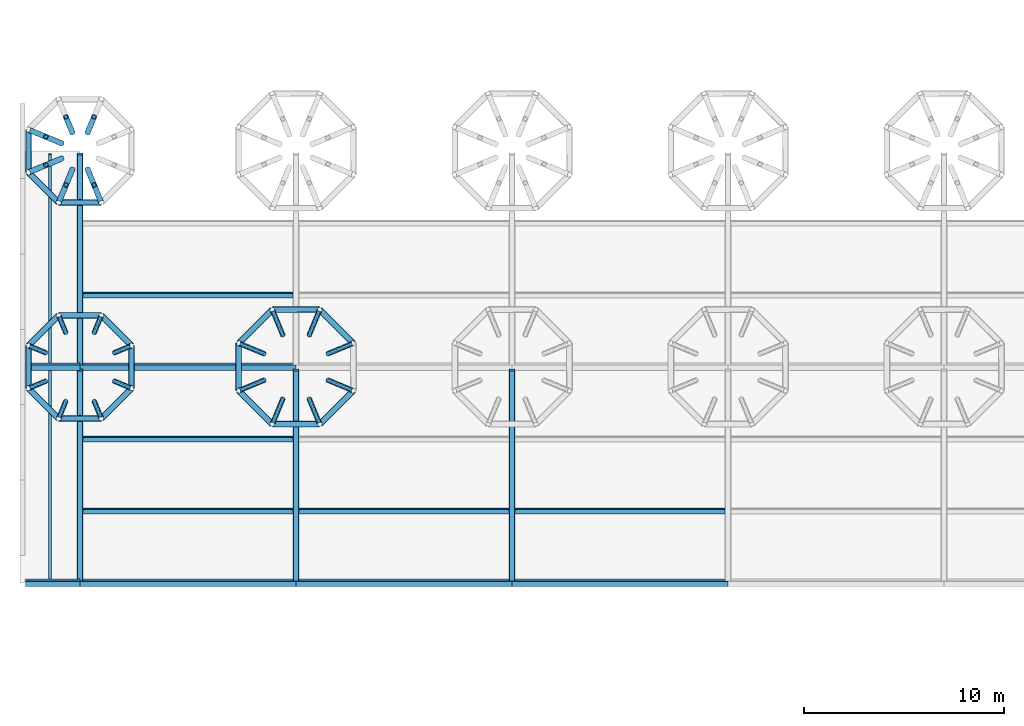
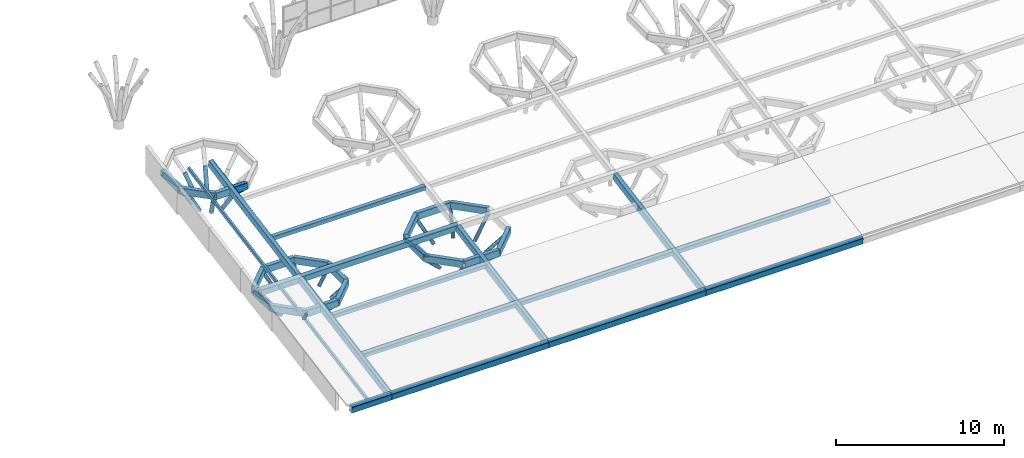
# One storey, part 2 of 42: 35 beams, 26 members.
"""IFC4 building model written with IfcOpenShell, lengths in metres."""

from ifc_helpers import new_model, si_unit, direction, frame, origin, origin_2d, place, context, subcontext, project, spatial, hollow_rectangle, hollow_circle, extrude, clip, halfspace, material, material_profile, profile_set, type_object, element, save


model = new_model("IFC4")

# Units and contexts
model_context = context("Model", 3, precision=1e-05, world=origin(), true_north=direction((0.0, 1.0)))
body_context = subcontext(model_context, "Body", "Model", "MODEL_VIEW")
ifc_project = project(units=[si_unit("LENGTHUNIT", "METRE"), si_unit("AREAUNIT", "SQUARE_METRE"), si_unit("VOLUMEUNIT", "CUBIC_METRE"), si_unit("PLANEANGLEUNIT", "RADIAN"), si_unit("MASSUNIT", "GRAM", prefix="KILO")], contexts=[model_context])

# Site, building, storey
site_placement = place(None, origin())
site = spatial("IfcSite", under=ifc_project, at=site_placement, CompositionType="ELEMENT")
building_placement = place(site_placement, origin())
building = spatial("IfcBuilding", under=site, at=building_placement, Name="Magnolia Steps Interchange", CompositionType="ELEMENT")
storey_placement = place(building_placement, frame((0.0, 0.0, 12.60009765625)))
storey = spatial("IfcBuildingStorey", under=building, at=storey_placement, Name="L03", CompositionType="ELEMENT", Elevation=12.60009765625)

# Beams
ifc_material_1 = material(Name="Steel Q355B", Category="steel")
ifc_material_profile_1 = material_profile(ifc_material_1, hollow_rectangle(XDim=0.300048828125, YDim=0.5, WallThickness=0.01611328125, InnerFilletRadius=0.01611328125, OuterFilletRadius=0.031982421875, at=origin_2d()), Name="RHS500x300x16")
ifc_profile_set_1 = profile_set([ifc_material_profile_1], Name="Steel Q355B")
beam_type_1 = type_object("IfcBeamType", Name="Ring beam RHS500x300x16", PredefinedType="BEAM", material=ifc_profile_set_1)
beam_1_placement = place(storey_placement, frame((55.780029296875, 65.068603515625, 1.5), z_axis=(-0.707049666629, 0.707163891131, 0.0), x_axis=(-0.707163891131, -0.707049666629, 0.0)))
element("IfcBeam", 1, at=beam_1_placement, inside=storey, type_object=beam_type_1, Name="Ring beam TH01C", PredefinedType="BEAM", context=body_context, shape_type="Clipping", body=[
    clip(clip(extrude(hollow_rectangle(XDim=0.300048828125, YDim=0.5, WallThickness=0.01611328125, InnerFilletRadius=0.01611328125, OuterFilletRadius=0.031982421875, at=origin_2d()), origin(), (0.0, 0.0, 1.0), 2.137451171875), halfspace(frame((0.0, 0.0, 0.0), z_axis=(0.382608811, 0.0, -0.923910438), x_axis=(0.923910438, 0.0, 0.382608811)), False)), halfspace(frame((0.0, 0.0, 2.137375265), z_axis=(0.382758052, 0.0, 0.92384862), x_axis=(0.923848621, 0.0, -0.382758052)), False)),
])
beam_2_placement = place(storey_placement, frame((54.268798828125, 66.580078125, 1.5), z_axis=(-1.0, 0.0, 0.0), x_axis=(0.0, -1.0, 0.0)))
element("IfcBeam", 2, at=beam_2_placement, inside=storey, type_object=beam_type_1, Name="Ring beam TH01C", PredefinedType="BEAM", context=body_context, shape_type="Clipping", body=[
    clip(clip(extrude(hollow_rectangle(XDim=0.300048828125, YDim=0.5, WallThickness=0.01611328125, InnerFilletRadius=0.01611328125, OuterFilletRadius=0.031982421875, at=origin_2d()), origin(), (0.0, 0.0, 1.0), 2.137451171875), halfspace(frame((0.0, 0.0, 0.0), z_axis=(0.382683432, 0.0, -0.923879533), x_axis=(0.923879533, 0.0, 0.382683432)), False)), halfspace(frame((0.0, 0.0, 2.137451172), z_axis=(0.382683432, 0.0, 0.923879533), x_axis=(0.923879533, 0.0, -0.382683432)), False)),
])
beam_3_placement = place(storey_placement, frame((52.13134765625, 66.580078125, 1.5), z_axis=(-0.707049666629, -0.707163891131, 0.0), x_axis=(0.707163891131, -0.707049666629, 0.0)))
element("IfcBeam", 3, at=beam_3_placement, inside=storey, type_object=beam_type_1, Name="Ring beam TH01C", PredefinedType="BEAM", context=body_context, shape_type="Clipping", body=[
    clip(clip(extrude(hollow_rectangle(XDim=0.300048828125, YDim=0.5, WallThickness=0.01611328125, InnerFilletRadius=0.01611328125, OuterFilletRadius=0.031982421875, at=origin_2d()), origin(), (0.0, 0.0, 1.0), 2.137451171875), halfspace(frame((0.0, 0.0, 0.0), z_axis=(0.382758052, 0.0, -0.92384862), x_axis=(0.923848621, 0.0, 0.382758052)), False)), halfspace(frame((0.0, 0.0, 2.137375265), z_axis=(0.382608811, 0.0, 0.923910438), x_axis=(0.923910438, 0.0, -0.382608811)), False)),
])
beam_4_placement = place(storey_placement, frame((50.6201171875, 65.068603515625, 1.5), z_axis=(0.0, -1.0, 0.0), x_axis=(1.0, 0.0, 0.0)))
element("IfcBeam", 4, at=beam_4_placement, inside=storey, type_object=beam_type_1, Name="Ring beam TH01C", PredefinedType="BEAM", context=body_context, shape_type="Clipping", body=[
    clip(clip(extrude(hollow_rectangle(XDim=0.300048828125, YDim=0.5, WallThickness=0.01611328125, InnerFilletRadius=0.01611328125, OuterFilletRadius=0.031982421875, at=origin_2d()), origin(), (0.0, 0.0, 1.0), 2.13720703125), halfspace(frame((0.0, 0.0, 0.0), z_axis=(0.382683432, 0.0, -0.923879533), x_axis=(0.923879533, 0.0, 0.382683432)), False)), halfspace(frame((0.0, 0.0, 2.137207031), z_axis=(0.382683432, 0.0, 0.923879533), x_axis=(0.923879533, 0.0, -0.382683432)), False)),
])
beam_5_placement = place(storey_placement, frame((50.6201171875, 62.931396484375, 1.5), z_axis=(0.707049666629, -0.707163891131, 0.0), x_axis=(0.707163891131, 0.707049666629, 0.0)))
element("IfcBeam", 5, at=beam_5_placement, inside=storey, type_object=beam_type_1, Name="Ring beam TH01C", PredefinedType="BEAM", context=body_context, shape_type="Clipping", body=[
    clip(clip(extrude(hollow_rectangle(XDim=0.300048828125, YDim=0.5, WallThickness=0.01611328125, InnerFilletRadius=0.01611328125, OuterFilletRadius=0.031982421875, at=origin_2d()), origin(), (0.0, 0.0, 1.0), 2.137451171875), halfspace(frame((0.0, 0.0, 0.0), z_axis=(0.382608811, 0.0, -0.923910438), x_axis=(0.923910438, 0.0, 0.382608811)), False)), halfspace(frame((0.0, 0.0, 2.137375265), z_axis=(0.382758052, 0.0, 0.92384862), x_axis=(0.923848621, 0.0, -0.382758052)), False)),
])
beam_6_placement = place(storey_placement, frame((52.13134765625, 61.419921875, 1.5), z_axis=(1.0, 0.0, 0.0), x_axis=(0.0, 1.0, 0.0)))
element("IfcBeam", 6, at=beam_6_placement, inside=storey, type_object=beam_type_1, Name="Ring beam TH01C", PredefinedType="BEAM", context=body_context, shape_type="Clipping", body=[
    clip(clip(extrude(hollow_rectangle(XDim=0.300048828125, YDim=0.5, WallThickness=0.01611328125, InnerFilletRadius=0.01611328125, OuterFilletRadius=0.031982421875, at=origin_2d()), origin(), (0.0, 0.0, 1.0), 2.137451171875), halfspace(frame((0.0, 0.0, 0.0), z_axis=(0.382683432, 0.0, -0.923879533), x_axis=(0.923879533, 0.0, 0.382683432)), False)), halfspace(frame((0.0, 0.0, 2.137451172), z_axis=(0.382683432, 0.0, 0.923879533), x_axis=(0.923879533, 0.0, -0.382683432)), False)),
])
beam_7_placement = place(storey_placement, frame((54.268798828125, 61.419921875, 1.5), z_axis=(0.707049666629, 0.707163891131, 0.0), x_axis=(-0.707163891131, 0.707049666629, 0.0)))
element("IfcBeam", 7, at=beam_7_placement, inside=storey, type_object=beam_type_1, Name="Ring beam TH01C", PredefinedType="BEAM", context=body_context, shape_type="Clipping", body=[
    clip(clip(extrude(hollow_rectangle(XDim=0.300048828125, YDim=0.5, WallThickness=0.01611328125, InnerFilletRadius=0.01611328125, OuterFilletRadius=0.031982421875, at=origin_2d()), origin(), (0.0, 0.0, 1.0), 2.137451171875), halfspace(frame((0.0, 0.0, 0.0), z_axis=(0.382758052, 0.0, -0.92384862), x_axis=(0.923848621, 0.0, 0.382758052)), False)), halfspace(frame((0.0, 0.0, 2.137375265), z_axis=(0.382608811, 0.0, 0.923910438), x_axis=(0.923910438, 0.0, -0.382608811)), False)),
])
beam_8_placement = place(storey_placement, frame((55.780029296875, 62.931396484375, 1.5), z_axis=(0.0, 1.0, 0.0), x_axis=(-1.0, 0.0, 0.0)))
element("IfcBeam", 8, at=beam_8_placement, inside=storey, type_object=beam_type_1, Name="Ring beam TH01C", PredefinedType="BEAM", context=body_context, shape_type="Clipping", body=[
    clip(clip(extrude(hollow_rectangle(XDim=0.300048828125, YDim=0.5, WallThickness=0.01611328125, InnerFilletRadius=0.01611328125, OuterFilletRadius=0.031982421875, at=origin_2d()), origin(), (0.0, 0.0, 1.0), 2.13720703125), halfspace(frame((0.0, 0.0, 0.0), z_axis=(0.382683432, 0.0, -0.923879533), x_axis=(0.923879533, 0.0, 0.382683432)), False)), halfspace(frame((0.0, 0.0, 2.137207031), z_axis=(0.382683432, 0.0, 0.923879533), x_axis=(0.923879533, 0.0, -0.382683432)), False)),
])
beam_9_placement = place(storey_placement, frame((50.6201171875, 75.86865234375, 3.4755859375), z_axis=(0.0, -1.0, 0.0), x_axis=(1.0, 0.0, 0.0)))
element("IfcBeam", 9, at=beam_9_placement, inside=storey, type_object=beam_type_1, Name="Ring beam TH01D", PredefinedType="BEAM", context=body_context, shape_type="Clipping", body=[
    clip(clip(extrude(hollow_rectangle(XDim=0.300048828125, YDim=0.5, WallThickness=0.01611328125, InnerFilletRadius=0.01611328125, OuterFilletRadius=0.031982421875, at=origin_2d()), origin(), (0.0, 0.0, 1.0), 2.137451171875), halfspace(frame((0.0, 0.0, 0.0), z_axis=(0.382683432, 0.0, -0.923879533), x_axis=(0.923879533, 0.0, 0.382683432)), False)), halfspace(frame((0.0, 0.0, 2.137451172), z_axis=(0.382683432, 0.0, 0.923879533), x_axis=(0.923879533, 0.0, -0.382683432)), False)),
])
beam_10_placement = place(storey_placement, frame((50.6201171875, 73.731201171875, 3.4755859375), z_axis=(0.707106781187, -0.707106781187, 0.0), x_axis=(0.707106781187, 0.707106781187, 0.0)))
element("IfcBeam", 10, at=beam_10_placement, inside=storey, type_object=beam_type_1, Name="Ring beam TH01D", PredefinedType="BEAM", context=body_context, shape_type="Clipping", body=[
    clip(clip(extrude(hollow_rectangle(XDim=0.300048828125, YDim=0.5, WallThickness=0.01611328125, InnerFilletRadius=0.01611328125, OuterFilletRadius=0.031982421875, at=origin_2d()), origin(), (0.0, 0.0, 1.0), 2.13720703125), halfspace(frame((0.0, 0.0, 0.0), z_axis=(0.382683433, 0.0, -0.923879532), x_axis=(0.923879532, 0.0, 0.382683433)), False)), halfspace(frame((0.0, 0.0, 2.137202625), z_axis=(0.382683433, 0.0, 0.923879532), x_axis=(0.923879532, 0.0, -0.382683433)), False)),
])
beam_11_placement = place(storey_placement, frame((52.13134765625, 72.219970703125, 3.4755859375), z_axis=(1.0, 0.0, 0.0), x_axis=(0.0, 1.0, 0.0)))
element("IfcBeam", 11, at=beam_11_placement, inside=storey, type_object=beam_type_1, Name="Ring beam TH01D", PredefinedType="BEAM", context=body_context, shape_type="Clipping", body=[
    clip(clip(extrude(hollow_rectangle(XDim=0.300048828125, YDim=0.5, WallThickness=0.01611328125, InnerFilletRadius=0.01611328125, OuterFilletRadius=0.031982421875, at=origin_2d()), origin(), (0.0, 0.0, 1.0), 2.137451171875), halfspace(frame((0.0, 0.0, 0.0), z_axis=(0.382683432, 0.0, -0.923879533), x_axis=(0.923879533, 0.0, 0.382683432)), False)), halfspace(frame((0.0, 0.0, 2.137451172), z_axis=(0.382683432, 0.0, 0.923879533), x_axis=(0.923879533, 0.0, -0.382683432)), False)),
])
beam_12_placement = place(storey_placement, frame((66.864013671875, 65.186279296875, 1.5), z_axis=(-0.707106781187, 0.707106781187, 0.0), x_axis=(-0.707106781187, -0.707106781187, 0.0)))
element("IfcBeam", 12, at=beam_12_placement, inside=storey, type_object=beam_type_1, Name="Ring beam TH02C", PredefinedType="BEAM", context=body_context, shape_type="Clipping", body=[
    clip(clip(extrude(hollow_rectangle(XDim=0.300048828125, YDim=0.5, WallThickness=0.01611328125, InnerFilletRadius=0.01611328125, OuterFilletRadius=0.031982421875, at=origin_2d()), origin(), (0.0, 0.0, 1.0), 2.37255859375), halfspace(frame((0.0, 0.0, 0.0), z_axis=(0.382683433, 0.0, -0.923879532), x_axis=(0.923879532, 0.0, 0.382683433)), False)), halfspace(frame((0.0, 0.0, 2.372674707), z_axis=(0.382683433, 0.0, 0.923879532), x_axis=(0.923879532, 0.0, -0.382683433)), False)),
])
beam_13_placement = place(storey_placement, frame((65.186279296875, 66.864013671875, 1.5), z_axis=(-1.0, 0.0, 0.0), x_axis=(0.0, -1.0, 0.0)))
element("IfcBeam", 13, at=beam_13_placement, inside=storey, type_object=beam_type_1, Name="Ring beam TH02C", PredefinedType="BEAM", context=body_context, shape_type="Clipping", body=[
    clip(clip(extrude(hollow_rectangle(XDim=0.300048828125, YDim=0.5, WallThickness=0.01611328125, InnerFilletRadius=0.01611328125, OuterFilletRadius=0.031982421875, at=origin_2d()), origin(), (0.0, 0.0, 1.0), 2.37255859375), halfspace(frame((0.0, 0.0, 0.0), z_axis=(0.382683432, 0.0, -0.923879533), x_axis=(0.923879533, 0.0, 0.382683432)), False)), halfspace(frame((0.0, 0.0, 2.372558594), z_axis=(0.382683432, 0.0, 0.923879533), x_axis=(0.923879533, 0.0, -0.382683432)), False)),
])
beam_14_placement = place(storey_placement, frame((62.813720703125, 66.864013671875, 1.5), z_axis=(-0.707106781187, -0.707106781187, 0.0), x_axis=(0.707106781187, -0.707106781187, 0.0)))
element("IfcBeam", 14, at=beam_14_placement, inside=storey, type_object=beam_type_1, Name="Ring beam TH02C", PredefinedType="BEAM", context=body_context, shape_type="Clipping", body=[
    clip(clip(extrude(hollow_rectangle(XDim=0.300048828125, YDim=0.5, WallThickness=0.01611328125, InnerFilletRadius=0.01611328125, OuterFilletRadius=0.031982421875, at=origin_2d()), origin(), (0.0, 0.0, 1.0), 2.37255859375), halfspace(frame((0.0, 0.0, 0.0), z_axis=(0.382683433, 0.0, -0.923879532), x_axis=(0.923879532, 0.0, 0.382683433)), False)), halfspace(frame((0.0, 0.0, 2.372674707), z_axis=(0.382683433, 0.0, 0.923879532), x_axis=(0.923879532, 0.0, -0.382683433)), False)),
])
beam_15_placement = place(storey_placement, frame((61.135986328125, 65.186279296875, 1.5), z_axis=(0.0, -1.0, 0.0), x_axis=(1.0, 0.0, 0.0)))
element("IfcBeam", 15, at=beam_15_placement, inside=storey, type_object=beam_type_1, Name="Ring beam TH02C", PredefinedType="BEAM", context=body_context, shape_type="Clipping", body=[
    clip(clip(extrude(hollow_rectangle(XDim=0.300048828125, YDim=0.5, WallThickness=0.01611328125, InnerFilletRadius=0.01611328125, OuterFilletRadius=0.031982421875, at=origin_2d()), origin(), (0.0, 0.0, 1.0), 2.37255859375), halfspace(frame((0.0, 0.0, 0.0), z_axis=(0.382683432, 0.0, -0.923879533), x_axis=(0.923879533, 0.0, 0.382683432)), False)), halfspace(frame((0.0, 0.0, 2.372558594), z_axis=(0.382683432, 0.0, 0.923879533), x_axis=(0.923879533, 0.0, -0.382683432)), False)),
])
beam_16_placement = place(storey_placement, frame((61.135986328125, 62.813720703125, 1.5), z_axis=(0.707106781187, -0.707106781187, 0.0), x_axis=(0.707106781187, 0.707106781187, 0.0)))
element("IfcBeam", 16, at=beam_16_placement, inside=storey, type_object=beam_type_1, Name="Ring beam TH02C", PredefinedType="BEAM", context=body_context, shape_type="Clipping", body=[
    clip(clip(extrude(hollow_rectangle(XDim=0.300048828125, YDim=0.5, WallThickness=0.01611328125, InnerFilletRadius=0.01611328125, OuterFilletRadius=0.031982421875, at=origin_2d()), origin(), (0.0, 0.0, 1.0), 2.37255859375), halfspace(frame((0.0, 0.0, 0.0), z_axis=(0.382683433, 0.0, -0.923879532), x_axis=(0.923879532, 0.0, 0.382683433)), False)), halfspace(frame((0.0, 0.0, 2.372674707), z_axis=(0.382683433, 0.0, 0.923879532), x_axis=(0.923879532, 0.0, -0.382683433)), False)),
])
beam_17_placement = place(storey_placement, frame((62.813720703125, 61.135986328125, 1.5), z_axis=(1.0, 0.0, 0.0), x_axis=(0.0, 1.0, 0.0)))
element("IfcBeam", 17, at=beam_17_placement, inside=storey, type_object=beam_type_1, Name="Ring beam TH02C", PredefinedType="BEAM", context=body_context, shape_type="Clipping", body=[
    clip(clip(extrude(hollow_rectangle(XDim=0.300048828125, YDim=0.5, WallThickness=0.01611328125, InnerFilletRadius=0.01611328125, OuterFilletRadius=0.031982421875, at=origin_2d()), origin(), (0.0, 0.0, 1.0), 2.37255859375), halfspace(frame((0.0, 0.0, 0.0), z_axis=(0.382683432, 0.0, -0.923879533), x_axis=(0.923879533, 0.0, 0.382683432)), False)), halfspace(frame((0.0, 0.0, 2.372558594), z_axis=(0.382683432, 0.0, 0.923879533), x_axis=(0.923879533, 0.0, -0.382683432)), False)),
])
beam_18_placement = place(storey_placement, frame((65.186279296875, 61.135986328125, 1.5), z_axis=(0.707106781187, 0.707106781187, 0.0), x_axis=(-0.707106781187, 0.707106781187, 0.0)))
element("IfcBeam", 18, at=beam_18_placement, inside=storey, type_object=beam_type_1, Name="Ring beam TH02C", PredefinedType="BEAM", context=body_context, shape_type="Clipping", body=[
    clip(clip(extrude(hollow_rectangle(XDim=0.300048828125, YDim=0.5, WallThickness=0.01611328125, InnerFilletRadius=0.01611328125, OuterFilletRadius=0.031982421875, at=origin_2d()), origin(), (0.0, 0.0, 1.0), 2.37255859375), halfspace(frame((0.0, 0.0, 0.0), z_axis=(0.382683433, 0.0, -0.923879532), x_axis=(0.923879532, 0.0, 0.382683433)), False)), halfspace(frame((0.0, 0.0, 2.372674707), z_axis=(0.382683433, 0.0, 0.923879532), x_axis=(0.923879532, 0.0, -0.382683433)), False)),
])
ifc_material_2 = material(Name="Steel Q355B", Category="steel")
ifc_material_profile_2 = material_profile(ifc_material_2, hollow_rectangle(XDim=0.300048828125, YDim=0.5, WallThickness=0.01611328125, InnerFilletRadius=0.01611328125, OuterFilletRadius=0.031982421875, at=origin_2d()), Name="RHS500x300x16")
ifc_profile_set_2 = profile_set([ifc_material_profile_2], Name="Steel Q355B")
beam_type_2 = type_object("IfcBeamType", Name="Roof beam RHS500x300x16", PredefinedType="BEAM", material=ifc_profile_set_2)
beam_19_placement = place(storey_placement, frame((50.4599609375, 53.199951171875, 0.068603515625), z_axis=(1.0, 0.0, 0.0), x_axis=(0.0, 0.98367737698, 0.17994115154)))
element("IfcBeam", 19, at=beam_19_placement, inside=storey, type_object=beam_type_2, Name="Roof beam", PredefinedType="BEAM", context=body_context, shape_type="SweptSolid", body=[
    extrude(hollow_rectangle(XDim=0.300048828125, YDim=0.5, WallThickness=0.01611328125, InnerFilletRadius=0.01611328125, OuterFilletRadius=0.031982421875, at=origin_2d()), origin(), (0.0, 0.0, 1.0), 2.739990234375),
])
for number, where, z_axis, x_axis, name in (
    (20, (53.199951171875, 53.199951171875, 0.068603515625), (1.0, 0.0, 0.0), (0.0, 0.98367737698, 0.17994115154), "Roof beam"),
    (21, (64.0, 53.199951171875, 0.068603515625), (1.0, 0.0, 0.0), (0.0, 0.98367737698, 0.17994115154), "Roof beam"),
    (22, (74.800048828125, 53.199951171875, 0.068603515625), (1.0, 0.0, 0.0), (0.0, 0.98367737698, 0.17994115154), "Roof beam"),
):
    element("IfcBeam", number, at=place(storey_placement, frame(where, z_axis=z_axis, x_axis=x_axis)), inside=storey, type_object=beam_type_2, Name=name, PredefinedType="BEAM", context=body_context, shape_type="SweptSolid", body=[
        extrude(hollow_rectangle(XDim=0.300048828125, YDim=0.5, WallThickness=0.01611328125, InnerFilletRadius=0.01611328125, OuterFilletRadius=0.031982421875, at=origin_2d()), origin(), (0.0, 0.0, 1.0), 10.800048828125),
    ])
beam_20_placement = place(storey_placement, frame((50.4599609375, 64.0, 2.044189453125), z_axis=(1.0, 0.0, 0.0), x_axis=(0.0, 0.98367737698, 0.17994115154)))
element("IfcBeam", 23, at=beam_20_placement, inside=storey, type_object=beam_type_2, Name="Roof beam", PredefinedType="BEAM", context=body_context, shape_type="SweptSolid", body=[
    extrude(hollow_rectangle(XDim=0.300048828125, YDim=0.5, WallThickness=0.01611328125, InnerFilletRadius=0.01611328125, OuterFilletRadius=0.031982421875, at=origin_2d()), origin(), (0.0, 0.0, 1.0), 2.739990234375),
])
beam_21_placement = place(storey_placement, frame((53.199951171875, 64.0, 2.044189453125), z_axis=(1.0, 0.0, 0.0), x_axis=(0.0, 0.98367737698, 0.17994115154)))
element("IfcBeam", 24, at=beam_21_placement, inside=storey, type_object=beam_type_2, Name="Roof beam", PredefinedType="BEAM", context=body_context, shape_type="SweptSolid", body=[
    extrude(hollow_rectangle(XDim=0.300048828125, YDim=0.5, WallThickness=0.01611328125, InnerFilletRadius=0.01611328125, OuterFilletRadius=0.031982421875, at=origin_2d()), origin(), (0.0, 0.0, 1.0), 10.800048828125),
])
for number, where, z_axis, x_axis, name in (
    (25, (53.199951171875, 53.35009765625, 0.095947265625), (0.0, 0.983678690331, 0.179933971746), (-1.0, 0.0, 0.0), "Roof beam"),
    (26, (53.199951171875, 64.14990234375, 2.071533203125), (0.0, 0.983678690331, 0.179933971746), (-1.0, 0.0, 0.0), "Roof beam"),
    (27, (64.0, 53.35009765625, 0.095947265625), (0.0, 0.983678690331, 0.179933971746), (-1.0, 0.0, 0.0), "Roof beam"),
    (28, (74.800048828125, 53.35009765625, 0.095947265625), (0.0, 0.983678690331, 0.179933971746), (-1.0, 0.0, 0.0), "Roof beam"),
):
    element("IfcBeam", number, at=place(storey_placement, frame(where, z_axis=z_axis, x_axis=x_axis)), inside=storey, type_object=beam_type_2, Name=name, PredefinedType="BEAM", context=body_context, shape_type="SweptSolid", body=[
        extrude(hollow_rectangle(XDim=0.300048828125, YDim=0.5, WallThickness=0.01611328125, InnerFilletRadius=0.01611328125, OuterFilletRadius=0.031982421875, at=origin_2d()), origin(), (0.0, 0.0, 1.0), 10.67431640625),
    ])
ifc_material_3 = material(Name="Steel Q355B", Category="steel")
ifc_material_profile_3 = material_profile(ifc_material_3, hollow_rectangle(XDim=0.14990234375, YDim=0.25, WallThickness=0.008056640625, InnerFilletRadius=0.008056640625, OuterFilletRadius=0.01611328125, at=origin_2d()), Name="RHS250x150x8")
ifc_profile_set_3 = profile_set([ifc_material_profile_3], Name="Steel Q355B")
beam_type_3 = type_object("IfcBeamType", Name="Roof edge joist RHS250x150x8", PredefinedType="BEAM", material=ifc_profile_set_3)
for number, where, z_axis, x_axis, name in (
    (29, (51.699951171875, 53.35009765625, 0.222900390625), (0.0, 0.98367464182, 0.179956103093), (-1.0, 0.0, 0.0), "Roof edge joist"),
    (30, (51.699951171875, 64.14990234375, 2.198486328125), (0.0, 0.98367464182, 0.179956103093), (-1.0, 0.0, 0.0), "Roof edge joist"),
):
    element("IfcBeam", number, at=place(storey_placement, frame(where, z_axis=z_axis, x_axis=x_axis)), inside=storey, type_object=beam_type_3, Name=name, PredefinedType="BEAM", context=body_context, shape_type="SweptSolid", body=[
        extrude(hollow_rectangle(XDim=0.14990234375, YDim=0.25, WallThickness=0.008056640625, InnerFilletRadius=0.008056640625, OuterFilletRadius=0.01611328125, at=origin_2d()), origin(), (0.0, 0.0, 1.0), 10.67431640625),
    ])
ifc_material_4 = material(Name="Steel Q355B", Category="steel")
ifc_material_profile_4 = material_profile(ifc_material_4, hollow_rectangle(XDim=0.25, YDim=0.35009765625, WallThickness=0.011962890625, InnerFilletRadius=0.011962890625, OuterFilletRadius=0.02392578125, at=origin_2d()), Name="RHS350x250x12")
ifc_profile_set_4 = profile_set([ifc_material_profile_4], Name="Steel Q355B")
beam_type_4 = type_object("IfcBeamType", Name="Roof joist RHS350x250x12", PredefinedType="BEAM", material=ifc_profile_set_4)
for number, where, z_axis, x_axis, name in (
    (31, (53.35009765625, 56.800048828125, 0.80322265625), (1.0, 0.0, 0.0), (0.0, 0.98367737698, 0.17994115154), "Roof joist"),
    (32, (64.14990234375, 56.800048828125, 0.80322265625), (1.0, 0.0, 0.0), (0.0, 0.98367737698, 0.17994115154), "Roof joist"),
    (33, (74.949951171875, 56.800048828125, 0.80322265625), (1.0, 0.0, 0.0), (0.0, 0.98367737698, 0.17994115154), "Roof joist"),
    (34, (53.35009765625, 60.39990234375, 1.4619140625), (1.0, 0.0, 0.0), (0.0, 0.98367737698, 0.17994115154), "Roof joist"),
    (35, (53.35009765625, 67.60009765625, 2.77880859375), (1.0, 0.0, 0.0), (0.0, 0.98367737698, 0.17994115154), "Roof joist"),
):
    element("IfcBeam", number, at=place(storey_placement, frame(where, z_axis=z_axis, x_axis=x_axis)), inside=storey, type_object=beam_type_4, Name=name, PredefinedType="BEAM", context=body_context, shape_type="SweptSolid", body=[
        extrude(hollow_rectangle(XDim=0.25, YDim=0.35009765625, WallThickness=0.011962890625, InnerFilletRadius=0.011962890625, OuterFilletRadius=0.02392578125, at=origin_2d()), origin(), (0.0, 0.0, 1.0), 10.5),
    ])

# Members
ifc_material_5 = material(Name="Steel Q355B", Category="steel")
ifc_material_profile_5 = material_profile(ifc_material_5, hollow_circle(Radius=0.12255859375, WallThickness=0.011962890625, at=origin_2d()), Name="CHS245x12")
ifc_profile_set_5 = profile_set([ifc_material_profile_5], Name="Steel Q355B")
member_type_1 = type_object("IfcMemberType", Name="Tree rib CHS245x12", PredefinedType="USERDEFINED", material=ifc_profile_set_5)
member_1_placement = place(storey_placement, frame((54.9052734375, 64.706298828125, 0.435546875), z_axis=(0.664600057379, 0.275262764485, 0.694648957546), x_axis=(-0.382655437784, 0.92389112775, 0.0)))
element("IfcMember", 36, at=member_1_placement, inside=storey, type_object=member_type_1, Name="Tree rib TH01C", ObjectType="TREE RIB", PredefinedType="USERDEFINED", context=body_context, shape_type="SweptSolid", body=[
    extrude(hollow_circle(Radius=0.12255859375, WallThickness=0.011962890625, at=origin_2d()), origin(), (0.0, 0.0, 1.0), 1.316162109375),
])
for number, where, z_axis, x_axis, name in (
    (37, (53.90625, 65.705078125, 0.435546875), (0.275400235058, 0.664669658214, 0.694527865517), (-0.923837733418, 0.382784328718, 0.0), "Tree rib TH01C"),
    (38, (52.49365234375, 65.705078125, 0.435546875), (-0.275228833092, 0.6647035969, 0.694563328792), (-0.923928870591, -0.382564297979, 0.0), "Tree rib TH01C"),
):
    element("IfcMember", number, at=place(storey_placement, frame(where, z_axis=z_axis, x_axis=x_axis)), inside=storey, type_object=member_type_1, Name=name, ObjectType="TREE RIB", PredefinedType="USERDEFINED", context=body_context, shape_type="SweptSolid", body=[
        extrude(hollow_circle(Radius=0.12255859375, WallThickness=0.011962890625, at=origin_2d()), origin(), (0.0, 0.0, 1.0), 1.31640625),
    ])
for number, where, z_axis, x_axis, name in (
    (39, (51.494873046875, 64.706298828125, 0.435546875), (-0.664600057379, 0.275262764485, 0.694648957546), (-0.382655437784, -0.92389112775, 0.0), "Tree rib TH01C"),
    (40, (51.494873046875, 63.293701171875, 0.435546875), (-0.664600057379, -0.275262764485, 0.694648957546), (0.382655437784, -0.92389112775, 0.0), "Tree rib TH01C"),
):
    element("IfcMember", number, at=place(storey_placement, frame(where, z_axis=z_axis, x_axis=x_axis)), inside=storey, type_object=member_type_1, Name=name, ObjectType="TREE RIB", PredefinedType="USERDEFINED", context=body_context, shape_type="SweptSolid", body=[
        extrude(hollow_circle(Radius=0.12255859375, WallThickness=0.011962890625, at=origin_2d()), origin(), (0.0, 0.0, 1.0), 1.316162109375),
    ])
for number, where, z_axis, x_axis, name in (
    (41, (52.49365234375, 62.294921875, 0.435546875), (-0.275228833092, -0.6647035969, 0.694563328792), (0.923928870591, -0.382564297979, 0.0), "Tree rib TH01C"),
    (42, (53.90625, 62.294921875, 0.435546875), (0.275400235058, -0.664669658214, 0.694527865517), (0.923837733418, 0.382784328718, 0.0), "Tree rib TH01C"),
):
    element("IfcMember", number, at=place(storey_placement, frame(where, z_axis=z_axis, x_axis=x_axis)), inside=storey, type_object=member_type_1, Name=name, ObjectType="TREE RIB", PredefinedType="USERDEFINED", context=body_context, shape_type="SweptSolid", body=[
        extrude(hollow_circle(Radius=0.12255859375, WallThickness=0.011962890625, at=origin_2d()), origin(), (0.0, 0.0, 1.0), 1.31640625),
    ])
member_2_placement = place(storey_placement, frame((54.9052734375, 63.293701171875, 0.435546875), z_axis=(0.664600057379, -0.275262764485, 0.694648957546), x_axis=(0.382655437784, 0.92389112775, 0.0)))
element("IfcMember", 43, at=member_2_placement, inside=storey, type_object=member_type_1, Name="Tree rib TH01C", ObjectType="TREE RIB", PredefinedType="USERDEFINED", context=body_context, shape_type="SweptSolid", body=[
    extrude(hollow_circle(Radius=0.12255859375, WallThickness=0.011962890625, at=origin_2d()), origin(), (0.0, 0.0, 1.0), 1.316162109375),
])
for number, where, z_axis, x_axis, name in (
    (44, (65.5830078125, 64.65576171875, 0.010986328125), (0.664618271493, 0.27524595082, 0.694638193418), (-0.382626535499, 0.923903097912, 0.0), "Tree rib TH02C"),
    (45, (64.65576171875, 65.5830078125, 0.010986328125), (0.27524595082, 0.664618271493, 0.694638193418), (-0.923903097912, 0.382626535499, 0.0), "Tree rib TH02C"),
    (46, (63.34423828125, 65.5830078125, 0.010986328125), (-0.27524595082, 0.664618271493, 0.694638193418), (-0.923903097912, -0.382626535499, 0.0), "Tree rib TH02C"),
    (47, (62.4169921875, 64.65576171875, 0.010986328125), (-0.664618271493, 0.27524595082, 0.694638193418), (-0.382626535499, -0.923903097912, 0.0), "Tree rib TH02C"),
    (48, (62.4169921875, 63.34423828125, 0.010986328125), (-0.664618271493, -0.27524595082, 0.694638193418), (0.382626535499, -0.923903097912, 0.0), "Tree rib TH02C"),
    (49, (63.34423828125, 62.4169921875, 0.010986328125), (-0.27524595082, -0.664618271493, 0.694638193418), (0.923903097912, -0.382626535499, 0.0), "Tree rib TH02C"),
    (50, (64.65576171875, 62.4169921875, 0.010986328125), (0.27524595082, -0.664618271493, 0.694638193418), (0.923903097912, 0.382626535499, 0.0), "Tree rib TH02C"),
    (51, (65.5830078125, 63.34423828125, 0.010986328125), (0.664618271493, -0.27524595082, 0.694638193418), (0.382626535499, 0.923903097912, 0.0), "Tree rib TH02C"),
):
    element("IfcMember", number, at=place(storey_placement, frame(where, z_axis=z_axis, x_axis=x_axis)), inside=storey, type_object=member_type_1, Name=name, ObjectType="TREE RIB", PredefinedType="USERDEFINED", context=body_context, shape_type="SweptSolid", body=[
        extrude(hollow_circle(Radius=0.12255859375, WallThickness=0.011962890625, at=origin_2d()), origin(), (0.0, 0.0, 1.0), 1.927490234375),
    ])
ifc_material_6 = material(Name="Steel Q355B", Category="steel")
ifc_material_profile_6 = material_profile(ifc_material_6, hollow_circle(Radius=0.136474609375, WallThickness=0.013916015625, at=origin_2d()), Name="CHS273x14")
ifc_profile_set_6 = profile_set([ifc_material_profile_6], Name="Steel Q355B")
member_type_2 = type_object("IfcMemberType", Name="Tree rib CHS273x14", PredefinedType="USERDEFINED", material=ifc_profile_set_6)
for number, where, z_axis, x_axis, name in (
    (52, (53.57763671875, 75.7119140625, 1.037109375), (0.202820124805, 0.489571014481, 0.848047297475), (-0.923857399968, 0.382736860682, 0.0), "Tree rib TH01D"),
    (53, (52.822265625, 75.7119140625, 1.037109375), (-0.202820124805, 0.489571014481, 0.848047297475), (-0.923857399968, -0.382736860682, 0.0), "Tree rib TH01D"),
    (54, (52.2880859375, 75.177734375, 1.037109375), (-0.489571014481, 0.202820124805, 0.848047297475), (-0.382736860682, -0.923857399968, 0.0), "Tree rib TH01D"),
):
    element("IfcMember", number, at=place(storey_placement, frame(where, z_axis=z_axis, x_axis=x_axis)), inside=storey, type_object=member_type_2, Name=name, ObjectType="TREE RIB", PredefinedType="USERDEFINED", context=body_context, shape_type="SweptSolid", body=[
        extrude(hollow_circle(Radius=0.136474609375, WallThickness=0.013916015625, at=origin_2d()), origin(), (0.0, 0.0, 1.0), 1.6201171875),
    ])
member_3_placement = place(storey_placement, frame((51.494873046875, 75.50634765625, 2.4111328125), z_axis=(-0.664600057379, 0.275262764485, 0.694648957546), x_axis=(-0.382655437784, -0.92389112775, 0.0)))
element("IfcMember", 55, at=member_3_placement, inside=storey, type_object=member_type_2, Name="Tree rib TH01D", ObjectType="TREE RIB", PredefinedType="USERDEFINED", context=body_context, shape_type="SweptSolid", body=[
    extrude(hollow_circle(Radius=0.136474609375, WallThickness=0.013916015625, at=origin_2d()), origin(), (0.0, 0.0, 1.0), 1.316162109375),
])
member_4_placement = place(storey_placement, frame((52.2880859375, 74.42236328125, 1.037109375), z_axis=(-0.489571014481, -0.202820124805, 0.848047297475), x_axis=(0.382736860682, -0.923857399968, 0.0)))
element("IfcMember", 56, at=member_4_placement, inside=storey, type_object=member_type_2, Name="Tree rib TH01D", ObjectType="TREE RIB", PredefinedType="USERDEFINED", context=body_context, shape_type="SweptSolid", body=[
    extrude(hollow_circle(Radius=0.136474609375, WallThickness=0.013916015625, at=origin_2d()), origin(), (0.0, 0.0, 1.0), 1.6201171875),
])
member_5_placement = place(storey_placement, frame((51.494873046875, 74.09375, 2.4111328125), z_axis=(-0.664566115613, -0.275434184115, 0.694613481153), x_axis=(0.382875502946, -0.923799950879, 0.0)))
element("IfcMember", 57, at=member_5_placement, inside=storey, type_object=member_type_2, Name="Tree rib TH01D", ObjectType="TREE RIB", PredefinedType="USERDEFINED", context=body_context, shape_type="SweptSolid", body=[
    extrude(hollow_circle(Radius=0.136474609375, WallThickness=0.013916015625, at=origin_2d()), origin(), (0.0, 0.0, 1.0), 1.316162109375),
])
member_6_placement = place(storey_placement, frame((52.822265625, 73.887939453125, 1.037109375), z_axis=(-0.202820124805, -0.489571014481, 0.848047297475), x_axis=(0.923857399968, -0.382736860682, 0.0)))
element("IfcMember", 58, at=member_6_placement, inside=storey, type_object=member_type_2, Name="Tree rib TH01D", ObjectType="TREE RIB", PredefinedType="USERDEFINED", context=body_context, shape_type="SweptSolid", body=[
    extrude(hollow_circle(Radius=0.136474609375, WallThickness=0.013916015625, at=origin_2d()), origin(), (0.0, 0.0, 1.0), 1.6201171875),
])
member_7_placement = place(storey_placement, frame((52.49365234375, 73.0947265625, 2.4111328125), z_axis=(-0.275262764485, -0.664600057379, 0.694648957546), x_axis=(0.92389112775, -0.382655437784, 0.0)))
element("IfcMember", 59, at=member_7_placement, inside=storey, type_object=member_type_2, Name="Tree rib TH01D", ObjectType="TREE RIB", PredefinedType="USERDEFINED", context=body_context, shape_type="SweptSolid", body=[
    extrude(hollow_circle(Radius=0.136474609375, WallThickness=0.013916015625, at=origin_2d()), origin(), (0.0, 0.0, 1.0), 1.316162109375),
])
member_8_placement = place(storey_placement, frame((53.57763671875, 73.887939453125, 1.037109375), z_axis=(0.202820124805, -0.489571014481, 0.848047297475), x_axis=(0.923857399968, 0.382736860682, 0.0)))
element("IfcMember", 60, at=member_8_placement, inside=storey, type_object=member_type_2, Name="Tree rib TH01D", ObjectType="TREE RIB", PredefinedType="USERDEFINED", context=body_context, shape_type="SweptSolid", body=[
    extrude(hollow_circle(Radius=0.136474609375, WallThickness=0.013916015625, at=origin_2d()), origin(), (0.0, 0.0, 1.0), 1.6201171875),
])
member_9_placement = place(storey_placement, frame((53.90625, 73.0947265625, 2.4111328125), z_axis=(0.275434184115, -0.664566115613, 0.694613481153), x_axis=(0.923799950879, 0.382875502946, 0.0)))
element("IfcMember", 61, at=member_9_placement, inside=storey, type_object=member_type_2, Name="Tree rib TH01D", ObjectType="TREE RIB", PredefinedType="USERDEFINED", context=body_context, shape_type="SweptSolid", body=[
    extrude(hollow_circle(Radius=0.136474609375, WallThickness=0.013916015625, at=origin_2d()), origin(), (0.0, 0.0, 1.0), 1.316162109375),
])

save(model, "model.ifc")
